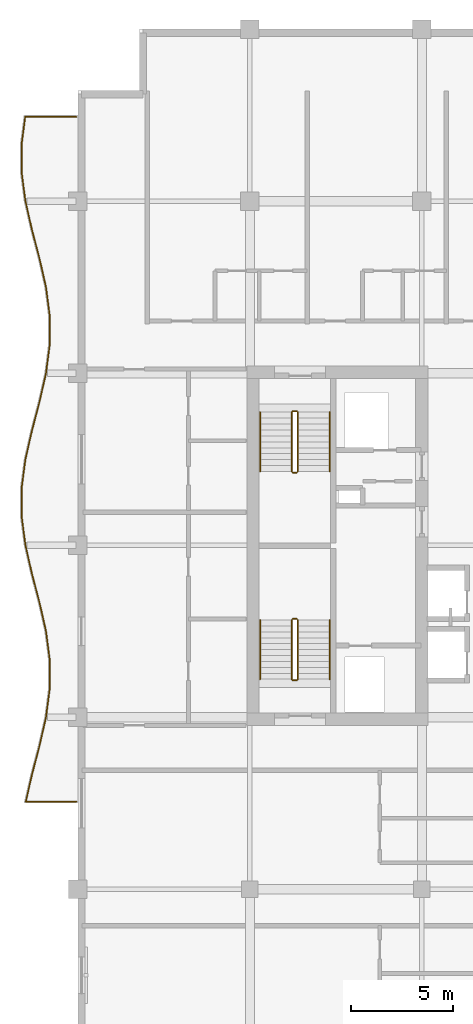
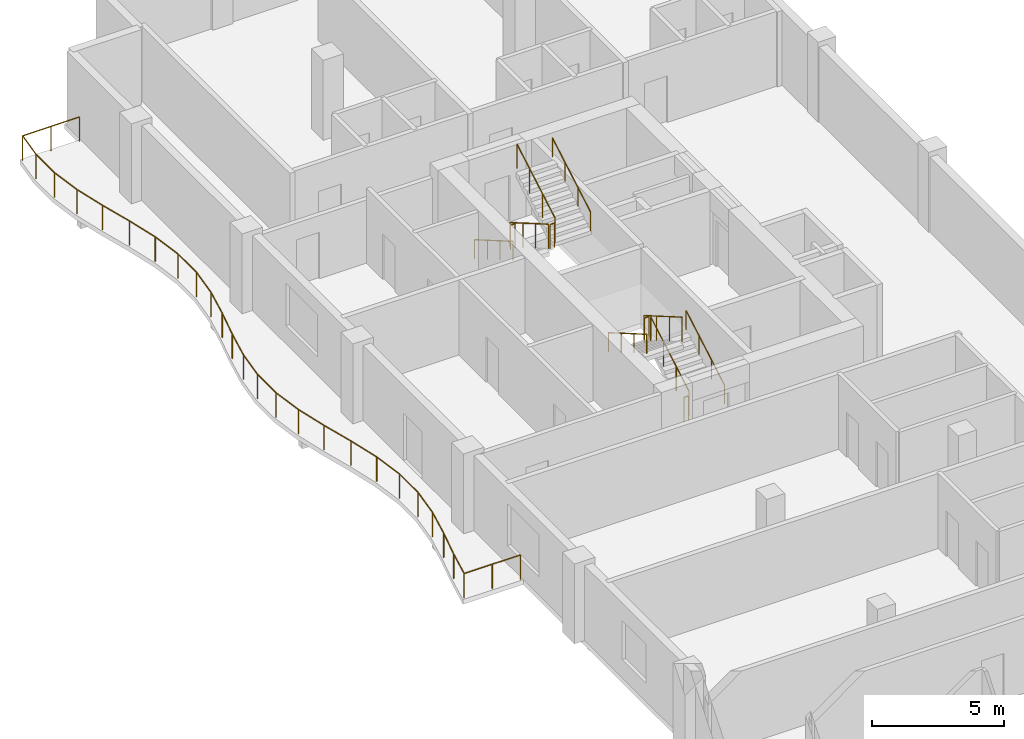
# One storey, part 12 of 12: 13 railings.
"""IFC4 building model written with IfcOpenShell, lengths in metres."""

from ifc_helpers import new_model, si_unit, direction, frame, origin, origin_2d, place, context, subcontext, project, spatial, circle, extrude, material, type_object, element, save


model = new_model("IFC4")

# Units and contexts
model_context = context("Model", 3, precision=1e-05, world=origin(), true_north=direction((0.0, 1.0)))
body_context = subcontext(model_context, "Body", "Model", "MODEL_VIEW")
ifc_project = project(units=[si_unit("LENGTHUNIT", "METRE"), si_unit("AREAUNIT", "SQUARE_METRE"), si_unit("VOLUMEUNIT", "CUBIC_METRE"), si_unit("PLANEANGLEUNIT", "RADIAN"), si_unit("MASSUNIT", "GRAM", prefix="KILO")], contexts=[model_context])

# Site, building, storey
site_placement = place(None, origin())
site = spatial("IfcSite", under=ifc_project, at=site_placement, CompositionType="ELEMENT")
building_placement = place(site_placement, origin())
building = spatial("IfcBuilding", under=site, at=building_placement, Name="Koriwani Terraces Tower", CompositionType="ELEMENT")
storey_placement = place(building_placement, frame((0.0, 0.0, 256.39990234375)))
storey = spatial("IfcBuildingStorey", under=building, at=storey_placement, Name="L63", CompositionType="ELEMENT", Elevation=256.39990234375)

# Railings
ifc_material = material(Name="Steel ASTM A572 Grade 50", Category="steel")
railing_type_1 = type_object("IfcRailingType", Name="GUARD_BALUSTRADE_1150", PredefinedType="BALUSTRADE", material=ifc_material)
railing_1_placement = place(storey_placement, frame((8.320068359375, 37.8798828125, 0.0)))
element("IfcRailing", 1, at=railing_1_placement, inside=storey, type_object=railing_type_1, Name="L63 Balcony Perimeter Safety Balustrade (W)", PredefinedType="BALUSTRADE", context=body_context, shape_type="SweptSolid", body=[
    extrude(circle(Radius=0.02392578125, at=origin_2d()), frame((0.0, 0.0, 1.1259765625), z_axis=(-1.0, 0.0, 0.0), x_axis=(0.0, -1.0, 0.0)), (0.0, 0.0, 1.0), 2.4619140625),
    extrude(circle(Radius=0.02392578125, at=origin_2d()), frame((-2.4619140625, 0.0, 1.1259765625), z_axis=(0.221597376316, 0.97513824805, 0.0), x_axis=(-0.97513824805, 0.221597376316, 0.0)), (0.0, 0.0, 1.0), 1.334228515625),
    extrude(circle(Radius=0.02392578125, at=origin_2d()), frame((-2.166259765625, 1.301025390625, 1.1259765625), z_axis=(0.253986877518, 0.967207664387, 0.0), x_axis=(-0.967207664387, 0.253986877518, 0.0)), (0.0, 0.0, 1.0), 1.447509765625),
    extrude(circle(Radius=0.02392578125, at=origin_2d()), frame((-1.798583984375, 2.701171875, 1.1259765625), z_axis=(0.221665052023, 0.975122866469, 0.0), x_axis=(-0.975122866469, 0.221665052023, 0.0)), (0.0, 0.0, 1.0), 1.440673828125),
    extrude(circle(Radius=0.02392578125, at=origin_2d()), frame((-1.479248046875, 4.10595703125, 1.1259765625), z_axis=(0.12989004906, 0.991528403605, 0.0), x_axis=(-0.991528403605, 0.12989004906, 0.0)), (0.0, 0.0, 1.0), 1.4208984375),
    extrude(circle(Radius=0.02392578125, at=origin_2d()), frame((-1.294677734375, 5.514892578125, 1.1259765625), z_axis=(0.0, 1.0, 0.0), x_axis=(-1.0, 0.0, 0.0)), (0.0, 0.0, 1.0), 1.410400390625),
    extrude(circle(Radius=0.02392578125, at=origin_2d()), frame((-1.294677734375, 6.92529296875, 1.1259765625), z_axis=(-0.12989004906, 0.991528403605, 0.0), x_axis=(-0.991528403605, -0.12989004906, 0.0)), (0.0, 0.0, 1.0), 1.4208984375),
    extrude(circle(Radius=0.02392578125, at=origin_2d()), frame((-1.479248046875, 8.334228515625, 1.1259765625), z_axis=(-0.221665052023, 0.975122866469, 0.0), x_axis=(-0.975122866469, -0.221665052023, 0.0)), (0.0, 0.0, 1.0), 1.440673828125),
    extrude(circle(Radius=0.02392578125, at=origin_2d()), frame((-1.798583984375, 9.739013671875, 1.1259765625), z_axis=(-0.253986877518, 0.967207664387, 0.0), x_axis=(-0.967207664387, -0.253986877518, 0.0)), (0.0, 0.0, 1.0), 1.447509765625),
    extrude(circle(Radius=0.02392578125, at=origin_2d()), frame((-2.166259765625, 11.13916015625, 1.1259765625), z_axis=(-0.221517834068, 0.975156320387, 0.0), x_axis=(-0.975156320387, -0.221517834068, 0.0)), (0.0, 0.0, 1.0), 1.4306640625),
    extrude(circle(Radius=0.02392578125, at=origin_2d()), frame((-2.483154296875, 12.5341796875, 1.1259765625), z_axis=(-0.130157426935, 0.991493340479, 0.0), x_axis=(-0.991493340479, -0.130157426935, 0.0)), (0.0, 0.0, 1.0), 1.403076171875),
    extrude(circle(Radius=0.02392578125, at=origin_2d()), frame((-2.665771484375, 13.92529296875, 1.1259765625), z_axis=(0.0, 1.0, 0.0), x_axis=(-1.0, 0.0, 0.0)), (0.0, 0.0, 1.0), 1.3896484375),
    extrude(circle(Radius=0.02392578125, at=origin_2d()), frame((-2.665771484375, 15.31494140625, 1.1259765625), z_axis=(0.130157426935, 0.991493340479, 0.0), x_axis=(-0.991493340479, 0.130157426935, 0.0)), (0.0, 0.0, 1.0), 1.403076171875),
    extrude(circle(Radius=0.02392578125, at=origin_2d()), frame((-2.483154296875, 16.7060546875, 1.1259765625), z_axis=(0.221517834068, 0.975156320387, 0.0), x_axis=(-0.975156320387, 0.221517834068, 0.0)), (0.0, 0.0, 1.0), 1.4306640625),
    extrude(circle(Radius=0.02392578125, at=origin_2d()), frame((-2.166259765625, 18.10107421875, 1.1259765625), z_axis=(0.253986877518, 0.967207664387, 0.0), x_axis=(-0.967207664387, 0.253986877518, 0.0)), (0.0, 0.0, 1.0), 1.447509765625),
    extrude(circle(Radius=0.02392578125, at=origin_2d()), frame((-1.798583984375, 19.501220703125, 1.1259765625), z_axis=(0.221665052023, 0.975122866469, 0.0), x_axis=(-0.975122866469, 0.221665052023, 0.0)), (0.0, 0.0, 1.0), 1.440673828125),
    extrude(circle(Radius=0.02392578125, at=origin_2d()), frame((-1.479248046875, 20.906005859375, 1.1259765625), z_axis=(0.12989004906, 0.991528403605, 0.0), x_axis=(-0.991528403605, 0.12989004906, 0.0)), (0.0, 0.0, 1.0), 1.4208984375),
    extrude(circle(Radius=0.02392578125, at=origin_2d()), frame((-1.294677734375, 22.31494140625, 1.1259765625), z_axis=(0.0, 1.0, 0.0), x_axis=(-1.0, 0.0, 0.0)), (0.0, 0.0, 1.0), 1.410400390625),
    extrude(circle(Radius=0.02392578125, at=origin_2d()), frame((-1.294677734375, 23.725341796875, 1.1259765625), z_axis=(-0.12989004906, 0.991528403605, 0.0), x_axis=(-0.991528403605, -0.12989004906, 0.0)), (0.0, 0.0, 1.0), 1.4208984375),
    extrude(circle(Radius=0.02392578125, at=origin_2d()), frame((-1.479248046875, 25.13427734375, 1.1259765625), z_axis=(-0.221665052023, 0.975122866469, 0.0), x_axis=(-0.975122866469, -0.221665052023, 0.0)), (0.0, 0.0, 1.0), 1.440673828125),
    extrude(circle(Radius=0.02392578125, at=origin_2d()), frame((-1.798583984375, 26.5390625, 1.1259765625), z_axis=(-0.253986877518, 0.967207664387, 0.0), x_axis=(-0.967207664387, -0.253986877518, 0.0)), (0.0, 0.0, 1.0), 1.447509765625),
    extrude(circle(Radius=0.02392578125, at=origin_2d()), frame((-2.166259765625, 27.939208984375, 1.1259765625), z_axis=(-0.221517834068, 0.975156320387, 0.0), x_axis=(-0.975156320387, -0.221517834068, 0.0)), (0.0, 0.0, 1.0), 1.4306640625),
    extrude(circle(Radius=0.02392578125, at=origin_2d()), frame((-2.483154296875, 29.334228515625, 1.1259765625), z_axis=(-0.130157426935, 0.991493340479, 0.0), x_axis=(-0.991493340479, -0.130157426935, 0.0)), (0.0, 0.0, 1.0), 1.403076171875),
    extrude(circle(Radius=0.02392578125, at=origin_2d()), frame((-2.665771484375, 30.725341796875, 1.1259765625), z_axis=(0.0, 1.0, 0.0), x_axis=(-1.0, 0.0, 0.0)), (0.0, 0.0, 1.0), 1.3896484375),
    extrude(circle(Radius=0.02392578125, at=origin_2d()), frame((-2.665771484375, 32.114990234375, 1.1259765625), z_axis=(0.130057587779, 0.991506441664, 0.0), x_axis=(-0.991506441664, 0.130057587779, 0.0)), (0.0, 0.0, 1.0), 1.33642578125),
    extrude(circle(Radius=0.02392578125, at=origin_2d()), frame((-2.491943359375, 33.440185546875, 1.1259765625), z_axis=(1.0, 0.0, 0.0), x_axis=(0.0, 1.0, 0.0)), (0.0, 0.0, 1.0), 2.491943359375),
    extrude(circle(Radius=0.02099609375, at=origin_2d()), origin(), (0.0, 0.0, 1.0), 1.101806640625),
    extrude(circle(Radius=0.02099609375, at=origin_2d()), frame((-1.23095703125, 0.0, 0.0)), (0.0, 0.0, 1.0), 1.101806640625),
    extrude(circle(Radius=0.02099609375, at=origin_2d()), frame((-2.4619140625, 0.0, 0.0)), (0.0, 0.0, 1.0), 1.101806640625),
    extrude(circle(Radius=0.02099609375, at=origin_2d()), frame((-2.166259765625, 1.301025390625, 0.0)), (0.0, 0.0, 1.0), 1.101806640625),
    extrude(circle(Radius=0.02099609375, at=origin_2d()), frame((-1.798583984375, 2.701171875, 0.0)), (0.0, 0.0, 1.0), 1.101806640625),
    extrude(circle(Radius=0.02099609375, at=origin_2d()), frame((-1.479248046875, 4.10595703125, 0.0)), (0.0, 0.0, 1.0), 1.101806640625),
    extrude(circle(Radius=0.02099609375, at=origin_2d()), frame((-1.294677734375, 5.514892578125, 0.0)), (0.0, 0.0, 1.0), 1.101806640625),
    extrude(circle(Radius=0.02099609375, at=origin_2d()), frame((-1.294677734375, 6.92529296875, 0.0)), (0.0, 0.0, 1.0), 1.101806640625),
    extrude(circle(Radius=0.02099609375, at=origin_2d()), frame((-1.479248046875, 8.334228515625, 0.0)), (0.0, 0.0, 1.0), 1.101806640625),
    extrude(circle(Radius=0.02099609375, at=origin_2d()), frame((-1.798583984375, 9.739013671875, 0.0)), (0.0, 0.0, 1.0), 1.101806640625),
    extrude(circle(Radius=0.02099609375, at=origin_2d()), frame((-2.166259765625, 11.13916015625, 0.0)), (0.0, 0.0, 1.0), 1.101806640625),
    extrude(circle(Radius=0.02099609375, at=origin_2d()), frame((-2.483154296875, 12.5341796875, 0.0)), (0.0, 0.0, 1.0), 1.101806640625),
    extrude(circle(Radius=0.02099609375, at=origin_2d()), frame((-2.665771484375, 13.92529296875, 0.0)), (0.0, 0.0, 1.0), 1.101806640625),
    extrude(circle(Radius=0.02099609375, at=origin_2d()), frame((-2.665771484375, 15.31494140625, 0.0)), (0.0, 0.0, 1.0), 1.101806640625),
    extrude(circle(Radius=0.02099609375, at=origin_2d()), frame((-2.483154296875, 16.7060546875, 0.0)), (0.0, 0.0, 1.0), 1.101806640625),
    extrude(circle(Radius=0.02099609375, at=origin_2d()), frame((-2.166259765625, 18.10107421875, 0.0)), (0.0, 0.0, 1.0), 1.101806640625),
    extrude(circle(Radius=0.02099609375, at=origin_2d()), frame((-1.798583984375, 19.501220703125, 0.0)), (0.0, 0.0, 1.0), 1.101806640625),
    extrude(circle(Radius=0.02099609375, at=origin_2d()), frame((-1.479248046875, 20.906005859375, 0.0)), (0.0, 0.0, 1.0), 1.101806640625),
    extrude(circle(Radius=0.02099609375, at=origin_2d()), frame((-1.294677734375, 22.31494140625, 0.0)), (0.0, 0.0, 1.0), 1.101806640625),
    extrude(circle(Radius=0.02099609375, at=origin_2d()), frame((-1.294677734375, 23.725341796875, 0.0)), (0.0, 0.0, 1.0), 1.101806640625),
    extrude(circle(Radius=0.02099609375, at=origin_2d()), frame((-1.479248046875, 25.13427734375, 0.0)), (0.0, 0.0, 1.0), 1.101806640625),
    extrude(circle(Radius=0.02099609375, at=origin_2d()), frame((-1.798583984375, 26.5390625, 0.0)), (0.0, 0.0, 1.0), 1.101806640625),
    extrude(circle(Radius=0.02099609375, at=origin_2d()), frame((-2.166259765625, 27.939208984375, 0.0)), (0.0, 0.0, 1.0), 1.101806640625),
    extrude(circle(Radius=0.02099609375, at=origin_2d()), frame((-2.483154296875, 29.334228515625, 0.0)), (0.0, 0.0, 1.0), 1.101806640625),
    extrude(circle(Radius=0.02099609375, at=origin_2d()), frame((-2.665771484375, 30.725341796875, 0.0)), (0.0, 0.0, 1.0), 1.101806640625),
    extrude(circle(Radius=0.02099609375, at=origin_2d()), frame((-2.665771484375, 32.114990234375, 0.0)), (0.0, 0.0, 1.0), 1.101806640625),
    extrude(circle(Radius=0.02099609375, at=origin_2d()), frame((-2.491943359375, 33.440185546875, 0.0)), (0.0, 0.0, 1.0), 1.101806640625),
    extrude(circle(Radius=0.02099609375, at=origin_2d()), frame((-1.24609375, 33.440185546875, 0.0)), (0.0, 0.0, 1.0), 1.101806640625),
    extrude(circle(Radius=0.02099609375, at=origin_2d()), frame((0.0, 33.440185546875, 0.0)), (0.0, 0.0, 1.0), 1.101806640625),
])
railing_type_2 = type_object("IfcRailingType", Name="GUARD_STAIR_WELL_1120", PredefinedType="GUARDRAIL", material=ifc_material)
railing_2_placement = place(storey_placement, frame((19.14990234375, 43.85009765625, 0.168212890625)))
element("IfcRailing", 2, at=railing_2_placement, inside=storey, type_object=railing_type_2, Name="L63 ST-W1 stair guard 1", PredefinedType="GUARDRAIL", context=body_context, shape_type="SweptSolid", body=[
    extrude(circle(Radius=0.02392578125, at=origin_2d()), frame((0.0, 0.0, 1.1259765625), z_axis=(0.0, 0.865038774852, 0.501705010941), x_axis=(-1.0, 0.0, 0.0)), (0.0, 0.0, 1.0), 3.352294921875),
    extrude(circle(Radius=0.02099609375, at=origin_2d()), origin(), (0.0, 0.0, 1.0), 1.101806640625),
    extrude(circle(Radius=0.02099609375, at=origin_2d()), frame((0.0, 0.966552734375, 0.560546875)), (0.0, 0.0, 1.0), 1.101806640625),
    extrude(circle(Radius=0.02099609375, at=origin_2d()), frame((0.0, 1.933349609375, 1.121337890625)), (0.0, 0.0, 1.0), 1.101806640625),
    extrude(circle(Radius=0.02099609375, at=origin_2d()), frame((0.0, 2.89990234375, 1.681884765625)), (0.0, 0.0, 1.0), 1.101806640625),
])
railing_3_placement = place(storey_placement, frame((19.10009765625, 46.800048828125, 1.85009765625)))
element("IfcRailing", 3, at=railing_3_placement, inside=storey, type_object=railing_type_2, Name="L63 ST-W1 stair guard 2", PredefinedType="GUARDRAIL", context=body_context, shape_type="SweptSolid", body=[
    extrude(circle(Radius=0.02392578125, at=origin_2d()), frame((0.0, 0.0, 1.1259765625), z_axis=(-1.0, 0.0, 0.0), x_axis=(0.0, -1.0, 0.0)), (0.0, 0.0, 1.0), 0.2001953125),
    extrude(circle(Radius=0.02099609375, at=origin_2d()), origin(), (0.0, 0.0, 1.0), 1.101806640625),
    extrude(circle(Radius=0.02099609375, at=origin_2d()), frame((-0.2001953125, 0.0, 0.0)), (0.0, 0.0, 1.0), 1.101806640625),
])
railing_4_placement = place(storey_placement, frame((18.85009765625, 46.75, 2.018310546875)))
element("IfcRailing", 4, at=railing_4_placement, inside=storey, type_object=railing_type_2, Name="L63 ST-W1 stair guard 3", PredefinedType="GUARDRAIL", context=body_context, shape_type="SweptSolid", body=[
    extrude(circle(Radius=0.02392578125, at=origin_2d()), frame((0.0, 0.0, 1.1259765625), z_axis=(0.0, -0.865038774852, 0.501705010941), x_axis=(1.0, 0.0, 0.0)), (0.0, 0.0, 1.0), 3.352294921875),
    extrude(circle(Radius=0.02099609375, at=origin_2d()), origin(), (0.0, 0.0, 1.0), 1.101806640625),
    extrude(circle(Radius=0.02099609375, at=origin_2d()), frame((0.0, -0.966552734375, 0.560546875)), (0.0, 0.0, 1.0), 1.101806640625),
    extrude(circle(Radius=0.02099609375, at=origin_2d()), frame((0.0, -1.933349609375, 1.121337890625)), (0.0, 0.0, 1.0), 1.101806640625),
    extrude(circle(Radius=0.02099609375, at=origin_2d()), frame((0.0, -2.89990234375, 1.681884765625)), (0.0, 0.0, 1.0), 1.101806640625),
])
railing_5_placement = place(storey_placement, frame((19.10009765625, 43.800048828125, 0.0)))
element("IfcRailing", 5, at=railing_5_placement, inside=storey, type_object=railing_type_2, Name="L63 ST-W1 stair guard 4", PredefinedType="GUARDRAIL", context=body_context, shape_type="SweptSolid", body=[
    extrude(circle(Radius=0.02392578125, at=origin_2d()), frame((0.0, 0.0, 1.1259765625), z_axis=(-1.0, 0.0, 0.0), x_axis=(0.0, -1.0, 0.0)), (0.0, 0.0, 1.0), 0.2001953125),
    extrude(circle(Radius=0.02099609375, at=origin_2d()), origin(), (0.0, 0.0, 1.0), 1.101806640625),
    extrude(circle(Radius=0.02099609375, at=origin_2d()), frame((-0.2001953125, 0.0, 0.0)), (0.0, 0.0, 1.0), 1.101806640625),
])
railing_6_placement = place(storey_placement, frame((18.85009765625, 56.89990234375, 0.168212890625)))
element("IfcRailing", 6, at=railing_6_placement, inside=storey, type_object=railing_type_2, Name="L63 ST-W2 stair guard 1", PredefinedType="GUARDRAIL", context=body_context, shape_type="SweptSolid", body=[
    extrude(circle(Radius=0.02392578125, at=origin_2d()), frame((0.0, 0.0, 1.1259765625), z_axis=(0.0, -0.865038774852, 0.501705010941), x_axis=(1.0, 0.0, 0.0)), (0.0, 0.0, 1.0), 3.352294921875),
    extrude(circle(Radius=0.02099609375, at=origin_2d()), origin(), (0.0, 0.0, 1.0), 1.101806640625),
    extrude(circle(Radius=0.02099609375, at=origin_2d()), frame((0.0, -0.966552734375, 0.560546875)), (0.0, 0.0, 1.0), 1.101806640625),
    extrude(circle(Radius=0.02099609375, at=origin_2d()), frame((0.0, -1.933349609375, 1.121337890625)), (0.0, 0.0, 1.0), 1.101806640625),
    extrude(circle(Radius=0.02099609375, at=origin_2d()), frame((0.0, -2.89990234375, 1.681884765625)), (0.0, 0.0, 1.0), 1.101806640625),
])
railing_7_placement = place(storey_placement, frame((18.89990234375, 53.949951171875, 1.85009765625)))
element("IfcRailing", 7, at=railing_7_placement, inside=storey, type_object=railing_type_2, Name="L63 ST-W2 stair guard 2", PredefinedType="GUARDRAIL", context=body_context, shape_type="SweptSolid", body=[
    extrude(circle(Radius=0.02392578125, at=origin_2d()), frame((0.0, 0.0, 1.1259765625), z_axis=(1.0, 0.0, 0.0), x_axis=(0.0, 1.0, 0.0)), (0.0, 0.0, 1.0), 0.2001953125),
    extrude(circle(Radius=0.02099609375, at=origin_2d()), origin(), (0.0, 0.0, 1.0), 1.101806640625),
    extrude(circle(Radius=0.02099609375, at=origin_2d()), frame((0.2001953125, 0.0, 0.0)), (0.0, 0.0, 1.0), 1.101806640625),
])
railing_8_placement = place(storey_placement, frame((19.14990234375, 54.0, 2.018310546875)))
element("IfcRailing", 8, at=railing_8_placement, inside=storey, type_object=railing_type_2, Name="L63 ST-W2 stair guard 3", PredefinedType="GUARDRAIL", context=body_context, shape_type="SweptSolid", body=[
    extrude(circle(Radius=0.02392578125, at=origin_2d()), frame((0.0, 0.0, 1.1259765625), z_axis=(0.0, 0.865038774852, 0.501705010941), x_axis=(-1.0, 0.0, 0.0)), (0.0, 0.0, 1.0), 3.352294921875),
    extrude(circle(Radius=0.02099609375, at=origin_2d()), origin(), (0.0, 0.0, 1.0), 1.101806640625),
    extrude(circle(Radius=0.02099609375, at=origin_2d()), frame((0.0, 0.966552734375, 0.560546875)), (0.0, 0.0, 1.0), 1.101806640625),
    extrude(circle(Radius=0.02099609375, at=origin_2d()), frame((0.0, 1.933349609375, 1.121337890625)), (0.0, 0.0, 1.0), 1.101806640625),
    extrude(circle(Radius=0.02099609375, at=origin_2d()), frame((0.0, 2.89990234375, 1.681884765625)), (0.0, 0.0, 1.0), 1.101806640625),
])
railing_9_placement = place(storey_placement, frame((18.89990234375, 56.949951171875, 0.0)))
element("IfcRailing", 9, at=railing_9_placement, inside=storey, type_object=railing_type_2, Name="L63 ST-W2 stair guard 4", PredefinedType="GUARDRAIL", context=body_context, shape_type="SweptSolid", body=[
    extrude(circle(Radius=0.02392578125, at=origin_2d()), frame((0.0, 0.0, 1.1259765625), z_axis=(1.0, 0.0, 0.0), x_axis=(0.0, 1.0, 0.0)), (0.0, 0.0, 1.0), 0.2001953125),
    extrude(circle(Radius=0.02099609375, at=origin_2d()), origin(), (0.0, 0.0, 1.0), 1.101806640625),
    extrude(circle(Radius=0.02099609375, at=origin_2d()), frame((0.2001953125, 0.0, 0.0)), (0.0, 0.0, 1.0), 1.101806640625),
])
railing_type_3 = type_object("IfcRailingType", Name="HANDRAIL_STAIR_920", PredefinedType="HANDRAIL", material=ifc_material)
railing_10_placement = place(storey_placement, frame((20.699951171875, 43.85009765625, 0.168212890625)))
element("IfcRailing", 10, at=railing_10_placement, inside=storey, type_object=railing_type_3, Name="L63 ST-W1 stair handrail 1", PredefinedType="HANDRAIL", context=body_context, shape_type="SweptSolid", body=[
    extrude(circle(Radius=0.02392578125, at=origin_2d()), frame((0.0, 0.0, 0.8759765625), z_axis=(0.0, 0.865038774852, 0.501705010941), x_axis=(-1.0, 0.0, 0.0)), (0.0, 0.0, 1.0), 3.352294921875),
    extrude(circle(Radius=0.02099609375, at=origin_2d()), origin(), (0.0, 0.0, 1.0), 0.851806640625),
    extrude(circle(Radius=0.02099609375, at=origin_2d()), frame((0.0, 0.966552734375, 0.560546875)), (0.0, 0.0, 1.0), 0.851806640625),
    extrude(circle(Radius=0.02099609375, at=origin_2d()), frame((0.0, 1.933349609375, 1.121337890625)), (0.0, 0.0, 1.0), 0.851806640625),
    extrude(circle(Radius=0.02099609375, at=origin_2d()), frame((0.0, 2.89990234375, 1.681884765625)), (0.0, 0.0, 1.0), 0.851806640625),
])
for number, where, name in (
    (11, (17.300048828125, 46.75, 2.018310546875), "L63 ST-W1 stair handrail 2"),
    (12, (17.300048828125, 56.89990234375, 0.168212890625), "L63 ST-W2 stair handrail 1"),
):
    element("IfcRailing", number, at=place(storey_placement, frame(where)), inside=storey, type_object=railing_type_3, Name=name, PredefinedType="HANDRAIL", context=body_context, shape_type="SweptSolid", body=[
        extrude(circle(Radius=0.02392578125, at=origin_2d()), frame((0.0, 0.0, 0.8759765625), z_axis=(0.0, -0.865038774852, 0.501705010941), x_axis=(1.0, 0.0, 0.0)), (0.0, 0.0, 1.0), 3.352294921875),
        extrude(circle(Radius=0.02099609375, at=origin_2d()), origin(), (0.0, 0.0, 1.0), 0.851806640625),
        extrude(circle(Radius=0.02099609375, at=origin_2d()), frame((0.0, -0.966552734375, 0.560546875)), (0.0, 0.0, 1.0), 0.851806640625),
        extrude(circle(Radius=0.02099609375, at=origin_2d()), frame((0.0, -1.933349609375, 1.121337890625)), (0.0, 0.0, 1.0), 0.851806640625),
        extrude(circle(Radius=0.02099609375, at=origin_2d()), frame((0.0, -2.89990234375, 1.681884765625)), (0.0, 0.0, 1.0), 0.851806640625),
    ])
railing_11_placement = place(storey_placement, frame((20.699951171875, 54.0, 2.018310546875)))
element("IfcRailing", 13, at=railing_11_placement, inside=storey, type_object=railing_type_3, Name="L63 ST-W2 stair handrail 2", PredefinedType="HANDRAIL", context=body_context, shape_type="SweptSolid", body=[
    extrude(circle(Radius=0.02392578125, at=origin_2d()), frame((0.0, 0.0, 0.8759765625), z_axis=(0.0, 0.865038774852, 0.501705010941), x_axis=(-1.0, 0.0, 0.0)), (0.0, 0.0, 1.0), 3.352294921875),
    extrude(circle(Radius=0.02099609375, at=origin_2d()), origin(), (0.0, 0.0, 1.0), 0.851806640625),
    extrude(circle(Radius=0.02099609375, at=origin_2d()), frame((0.0, 0.966552734375, 0.560546875)), (0.0, 0.0, 1.0), 0.851806640625),
    extrude(circle(Radius=0.02099609375, at=origin_2d()), frame((0.0, 1.933349609375, 1.121337890625)), (0.0, 0.0, 1.0), 0.851806640625),
    extrude(circle(Radius=0.02099609375, at=origin_2d()), frame((0.0, 2.89990234375, 1.681884765625)), (0.0, 0.0, 1.0), 0.851806640625),
])

save(model, "model.ifc")
